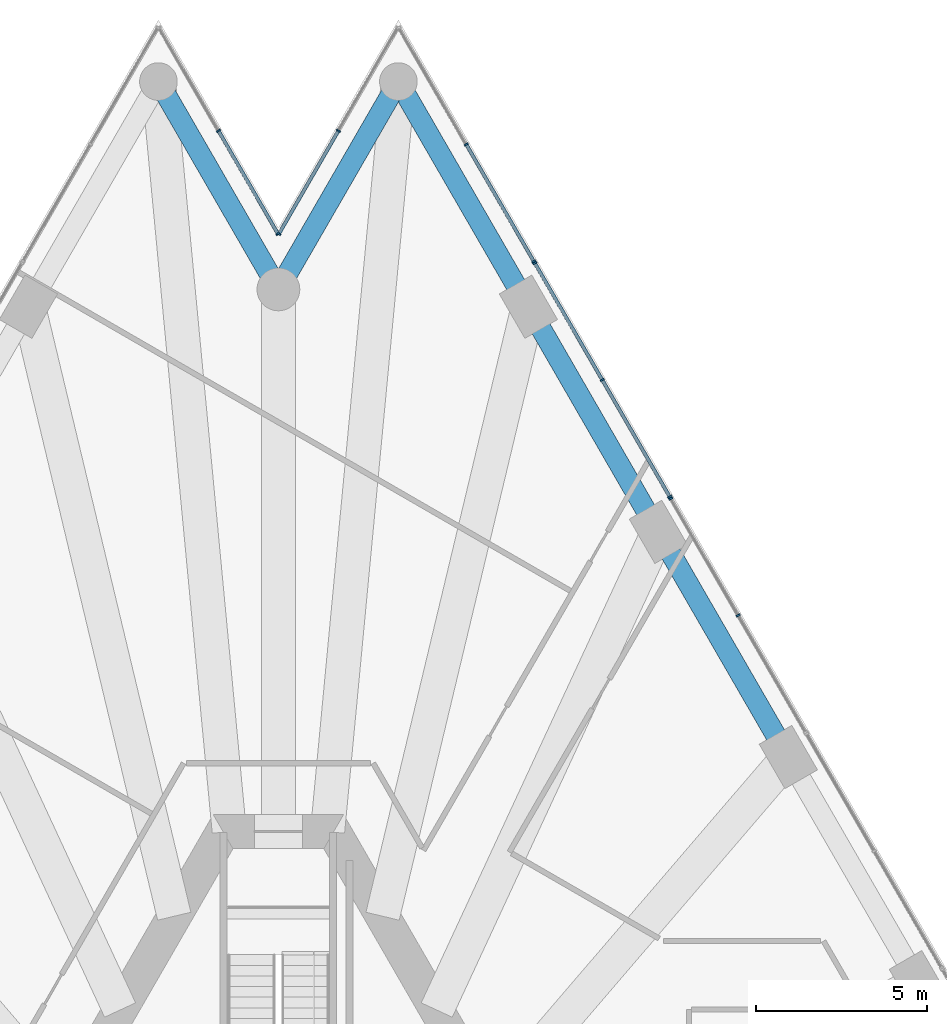
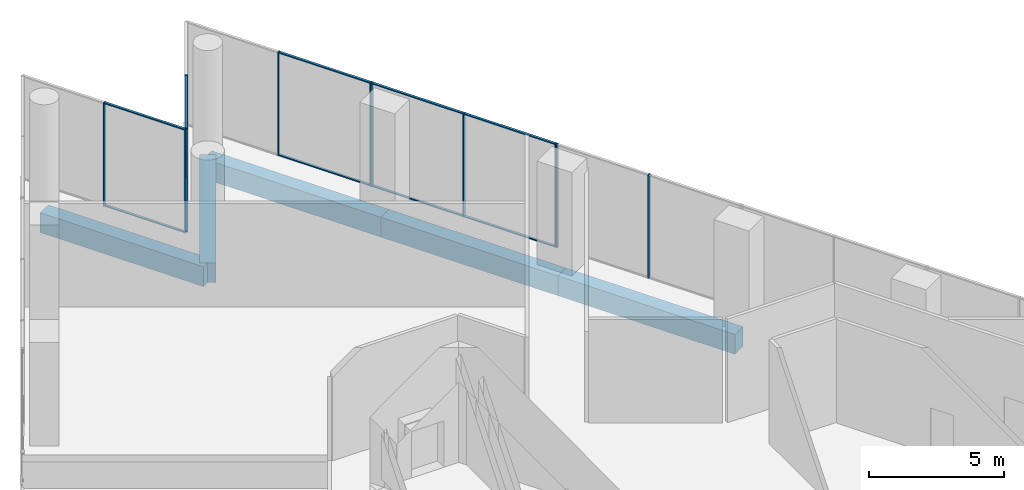
# One storey, part 17 of 28: 21 members, 5 beams, 5 elements without a shape of their own.
"""IFC4 building model written with IfcOpenShell, lengths in metres."""

from ifc_helpers import new_model, si_unit, direction, frame, origin, origin_2d, place, context, subcontext, project, spatial, rectangle, extrude, material, layer, layer_set, material_profile, profile_set, type_object, element, aggregate, save


model = new_model("IFC4")

# Units and contexts
model_context = context("Model", 3, precision=1e-05, world=origin(), true_north=direction((0.0, 1.0)))
body_context = subcontext(model_context, "Body", "Model", "MODEL_VIEW")
ifc_project = project(units=[si_unit("LENGTHUNIT", "METRE"), si_unit("AREAUNIT", "SQUARE_METRE"), si_unit("VOLUMEUNIT", "CUBIC_METRE"), si_unit("PLANEANGLEUNIT", "RADIAN"), si_unit("MASSUNIT", "GRAM", prefix="KILO")], contexts=[model_context])

# Site, building, storey
site_placement = place(None, origin())
site = spatial("IfcSite", under=ifc_project, at=site_placement, CompositionType="ELEMENT")
building_placement = place(site_placement, origin())
building = spatial("IfcBuilding", under=site, at=building_placement, Name="Triada Interchange Tower", CompositionType="ELEMENT")
storey_placement = place(building_placement, frame((0.0, 0.0, 30.300048828125)))
storey = spatial("IfcBuildingStorey", under=building, at=storey_placement, Name="L05", CompositionType="ELEMENT", Elevation=30.300048828125)

# Curtain wall, members
ifc_material_1 = material(Name="Aluminium framed glazing", Category="aluminium")
ifc_layer = layer(ifc_material_1, 0.199951171875)
ifc_layer_set = layer_set([ifc_layer], Name="Curtain wall Winter garden glazing")
curtain_wall_type = type_object("IfcCurtainWallType", Name="Curtain wall Winter garden glazing", PredefinedType="NOTDEFINED", material=ifc_layer_set)
curtain_wall_1_placement = place(storey_placement, origin())
curtain_wall_1 = element("IfcCurtainWall", 1, at=curtain_wall_1_placement, inside=storey, type_object=curtain_wall_type, Name="Winter garden glazing CW017 L05", PredefinedType="NOTDEFINED")
ifc_material_2 = material(Name="Aluminium", Category="aluminium")
ifc_material_profile_1 = material_profile(ifc_material_2, rectangle(XDim=0.1201171875, YDim=0.050048828125, at=origin_2d()), Name="Aluminium mullion")
ifc_profile_set_1 = profile_set([ifc_material_profile_1], Name="Aluminium")
member_type_1 = type_object("IfcMemberType", Name="Mullion Winter garden glazing 120x50", PredefinedType="MULLION", material=ifc_profile_set_1)
member_1_placement = place(storey_placement, frame((13.439453125, 21.52197265625, 0.0), z_axis=(0.0, 0.0, 1.0), x_axis=(-0.866055473648, -0.499947913852, 0.0)))
member_1 = element("IfcMember", 2, at=member_1_placement, type_object=member_type_1, Name="CW017 mullion 2", PredefinedType="MULLION", context=body_context, shape_type="SweptSolid", body=[
    extrude(rectangle(XDim=0.1201171875, YDim=0.050048828125, at=origin_2d()), origin(), (0.0, 0.0, 1.0), 4.699951171875),
])
member_2_placement = place(storey_placement, frame((11.468505859375, 24.936279296875, 0.0), z_axis=(0.0, 0.0, 1.0), x_axis=(-0.866055473648, -0.499947913852, 0.0)))
member_2 = element("IfcMember", 3, at=member_2_placement, type_object=member_type_1, Name="CW017 mullion 3", PredefinedType="MULLION", context=body_context, shape_type="SweptSolid", body=[
    extrude(rectangle(XDim=0.1201171875, YDim=0.050048828125, at=origin_2d()), origin(), (0.0, 0.0, 1.0), 4.699951171875),
])
aggregate(curtain_wall_1, [member_1, member_2])

curtain_wall_2_placement = place(storey_placement, origin())
curtain_wall_2 = element("IfcCurtainWall", 4, at=curtain_wall_2_placement, inside=storey, type_object=curtain_wall_type, Name="Winter garden glazing CW018 L05", PredefinedType="NOTDEFINED")
member_3_placement = place(storey_placement, frame((11.4375, 24.98876953125, 0.0), z_axis=(0.0, 0.0, 1.0), x_axis=(-0.866055473648, -0.499947913852, 0.0)))
member_3 = element("IfcMember", 5, at=member_3_placement, type_object=member_type_1, Name="CW018 mullion 1", PredefinedType="MULLION", context=body_context, shape_type="SweptSolid", body=[
    extrude(rectangle(XDim=0.1201171875, YDim=0.050048828125, at=origin_2d()), origin(), (0.0, 0.0, 1.0), 4.699951171875),
])
member_4_placement = place(storey_placement, frame((9.466552734375, 28.403076171875, 0.0), z_axis=(0.0, 0.0, 1.0), x_axis=(-0.866055473648, -0.499947913852, 0.0)))
member_4 = element("IfcMember", 6, at=member_4_placement, type_object=member_type_1, Name="CW018 mullion 2", PredefinedType="MULLION", context=body_context, shape_type="SweptSolid", body=[
    extrude(rectangle(XDim=0.1201171875, YDim=0.050048828125, at=origin_2d()), origin(), (0.0, 0.0, 1.0), 4.699951171875),
])
member_5_placement = place(storey_placement, frame((7.49560546875, 31.8173828125, 0.0), z_axis=(0.0, 0.0, 1.0), x_axis=(-0.866055473648, -0.499947913852, 0.0)))
member_5 = element("IfcMember", 7, at=member_5_placement, type_object=member_type_1, Name="CW018 mullion 3", PredefinedType="MULLION", context=body_context, shape_type="SweptSolid", body=[
    extrude(rectangle(XDim=0.1201171875, YDim=0.050048828125, at=origin_2d()), origin(), (0.0, 0.0, 1.0), 4.699951171875),
])

curtain_wall_3_placement = place(storey_placement, origin())
curtain_wall_3 = element("IfcCurtainWall", 8, at=curtain_wall_3_placement, inside=storey, type_object=curtain_wall_type, Name="Winter garden glazing CW019 L05", PredefinedType="NOTDEFINED")
member_6_placement = place(storey_placement, frame((7.464599609375, 31.86962890625, 0.0), z_axis=(0.0, 0.0, 1.0), x_axis=(-0.86604927658, -0.499958648825, 0.0)))
member_6 = element("IfcMember", 9, at=member_6_placement, type_object=member_type_1, Name="CW019 mullion 1", PredefinedType="MULLION", context=body_context, shape_type="SweptSolid", body=[
    extrude(rectangle(XDim=0.1201171875, YDim=0.050048828125, at=origin_2d()), origin(), (0.0, 0.0, 1.0), 4.699951171875),
])
member_7_placement = place(storey_placement, frame((5.491943359375, 35.28662109375, 0.0), z_axis=(0.0, 0.0, 1.0), x_axis=(-0.86604927658, -0.499958648825, 0.0)))
member_7 = element("IfcMember", 10, at=member_7_placement, type_object=member_type_1, Name="CW019 mullion 2", PredefinedType="MULLION", context=body_context, shape_type="SweptSolid", body=[
    extrude(rectangle(XDim=0.1201171875, YDim=0.050048828125, at=origin_2d()), origin(), (0.0, 0.0, 1.0), 4.699951171875),
])

curtain_wall_4_placement = place(storey_placement, origin())
curtain_wall_4 = element("IfcCurtainWall", 11, at=curtain_wall_4_placement, inside=storey, type_object=curtain_wall_type, Name="Winter garden glazing CW020 L05", PredefinedType="NOTDEFINED")
member_8_placement = place(storey_placement, frame((1.75341796875, 35.6875, 0.0), z_axis=(0.0, 0.0, 1.0), x_axis=(0.866050272896, -0.499956922962, 0.0)))
member_8 = element("IfcMember", 12, at=member_8_placement, type_object=member_type_1, Name="CW020 mullion 2", PredefinedType="MULLION", context=body_context, shape_type="SweptSolid", body=[
    extrude(rectangle(XDim=0.1201171875, YDim=0.050048828125, at=origin_2d()), origin(), (0.0, 0.0, 1.0), 4.699951171875),
])
member_9_placement = place(storey_placement, frame((0.012451171875, 32.671630859375, 0.0), z_axis=(0.0, 0.0, 1.0), x_axis=(0.866050272896, -0.499956922962, 0.0)))
member_9 = element("IfcMember", 13, at=member_9_placement, type_object=member_type_1, Name="CW020 mullion 3", PredefinedType="MULLION", context=body_context, shape_type="SweptSolid", body=[
    extrude(rectangle(XDim=0.1201171875, YDim=0.050048828125, at=origin_2d()), origin(), (0.0, 0.0, 1.0), 4.699951171875),
])

curtain_wall_5_placement = place(storey_placement, origin())
curtain_wall_5 = element("IfcCurtainWall", 14, at=curtain_wall_5_placement, inside=storey, type_object=curtain_wall_type, Name="Winter garden glazing CW021 L05", PredefinedType="NOTDEFINED")
member_10_placement = place(storey_placement, frame((-0.012451171875, 32.671630859375, 0.0), z_axis=(0.0, 0.0, 1.0), x_axis=(-0.866050272896, -0.499956922962, 0.0)))
member_10 = element("IfcMember", 15, at=member_10_placement, type_object=member_type_1, Name="CW021 mullion 1", PredefinedType="MULLION", context=body_context, shape_type="SweptSolid", body=[
    extrude(rectangle(XDim=0.1201171875, YDim=0.050048828125, at=origin_2d()), origin(), (0.0, 0.0, 1.0), 4.699951171875),
])
member_11_placement = place(storey_placement, frame((-1.75341796875, 35.6875, 0.0), z_axis=(0.0, 0.0, 1.0), x_axis=(-0.866050272896, -0.499956922962, 0.0)))
member_11 = element("IfcMember", 16, at=member_11_placement, type_object=member_type_1, Name="CW021 mullion 2", PredefinedType="MULLION", context=body_context, shape_type="SweptSolid", body=[
    extrude(rectangle(XDim=0.1201171875, YDim=0.050048828125, at=origin_2d()), origin(), (0.0, 0.0, 1.0), 4.699951171875),
])

# Beams
ifc_material_3 = material(Name="Concrete C50/60", Category="concrete")
ifc_material_profile_2 = material_profile(ifc_material_3, rectangle(XDim=0.60009765625, YDim=0.89990234375, at=origin_2d()), Name="RC 600x900")
ifc_profile_set_2 = profile_set([ifc_material_profile_2], Name="Concrete C50/60")
beam_type = type_object("IfcBeamType", Name="Spandrel beam P RC 600x900", PredefinedType="BEAM", material=ifc_profile_set_2)
beam_1_placement = place(storey_placement, frame((14.906005859375, 17.381103515625, -0.85009765625), z_axis=(-0.500060803479, 0.865990296034, 0.0), x_axis=(-0.865990296034, -0.500060803479, 0.0)))
element("IfcBeam", 17, at=beam_1_placement, inside=storey, type_object=beam_type, Name="Spandrel beam EP26 L05", PredefinedType="BEAM", context=body_context, shape_type="SweptSolid", body=[
    extrude(rectangle(XDim=0.60009765625, YDim=0.89990234375, at=origin_2d()), origin(), (0.0, 0.0, 1.0), 7.59912109375),
])
beam_2_placement = place(storey_placement, frame((11.10595703125, 23.9619140625, -0.85009765625), z_axis=(-0.499894869559, 0.866086092366, 0.0), x_axis=(-0.866086092366, -0.499894869559, 0.0)))
element("IfcBeam", 18, at=beam_2_placement, inside=storey, type_object=beam_type, Name="Spandrel beam EP27 L05", PredefinedType="BEAM", context=body_context, shape_type="SweptSolid", body=[
    extrude(rectangle(XDim=0.60009765625, YDim=0.89990234375, at=origin_2d()), origin(), (0.0, 0.0, 1.0), 7.599853515625),
])
beam_3_placement = place(storey_placement, frame((7.306884765625, 30.5439453125, -0.85009765625), z_axis=(-0.500022797313, 0.86601224135, 0.0), x_axis=(-0.86601224135, -0.500022797313, 0.0)))
element("IfcBeam", 19, at=beam_3_placement, inside=storey, type_object=beam_type, Name="Spandrel beam EP28 L05", PredefinedType="BEAM", context=body_context, shape_type="SweptSolid", body=[
    extrude(rectangle(XDim=0.60009765625, YDim=0.89990234375, at=origin_2d()), origin(), (0.0, 0.0, 1.0), 7.599365234375),
])
for number, where, z_axis, x_axis, name in (
    (20, (3.507080078125, 37.125, -0.85009765625), (-0.49996849935, -0.866043589929, 0.0), (0.866043589929, -0.49996849935, 0.0), "Spandrel beam EP29 L05"),
    (21, (0.0, 31.050048828125, -0.85009765625), (-0.49996849935, 0.866043589929, 0.0), (-0.866043589929, -0.49996849935, 0.0), "Spandrel beam EP30 L05"),
):
    element("IfcBeam", number, at=place(storey_placement, frame(where, z_axis=z_axis, x_axis=x_axis)), inside=storey, type_object=beam_type, Name=name, PredefinedType="BEAM", context=body_context, shape_type="SweptSolid", body=[
        extrude(rectangle(XDim=0.60009765625, YDim=0.89990234375, at=origin_2d()), origin(), (0.0, 0.0, 1.0), 7.0146484375),
    ])

# Member
ifc_material_profile_3 = material_profile(ifc_material_2, rectangle(XDim=0.10009765625, YDim=0.050048828125, at=origin_2d()), Name="Aluminium transom")
ifc_profile_set_3 = profile_set([ifc_material_profile_3], Name="Aluminium")
member_type_2 = type_object("IfcMemberType", Name="Transom Winter garden glazing 100x50", PredefinedType="USERDEFINED", material=ifc_profile_set_3)
member_12_placement = place(storey_placement, frame((11.425048828125, 25.01025390625, 0.02490234375), z_axis=(-0.499950487857, 0.866053987747, 0.0), x_axis=(-0.866053987747, -0.499950487857, 0.0)))
member_12 = element("IfcMember", 22, at=member_12_placement, type_object=member_type_2, Name="CW018 transom 1.1", ObjectType="TRANSOM", PredefinedType="USERDEFINED", context=body_context, shape_type="SweptSolid", body=[
    extrude(rectangle(XDim=0.10009765625, YDim=0.050048828125, at=origin_2d()), origin(), (0.0, 0.0, 1.0), 3.892578125),
])

member_13_placement = place(storey_placement, frame((11.425048828125, 25.01025390625, 4.675048828125), z_axis=(-0.499950487857, 0.866053987747, 0.0), x_axis=(-0.866053987747, -0.499950487857, 0.0)))
member_13 = element("IfcMember", 23, at=member_13_placement, type_object=member_type_2, Name="CW018 transom 1.2", ObjectType="TRANSOM", PredefinedType="USERDEFINED", context=body_context, shape_type="SweptSolid", body=[
    extrude(rectangle(XDim=0.10009765625, YDim=0.050048828125, at=origin_2d()), origin(), (0.0, 0.0, 1.0), 3.892578125),
])

member_14_placement = place(storey_placement, frame((9.4541015625, 28.424560546875, 0.02490234375), z_axis=(-0.499950487857, 0.866053987747, 0.0), x_axis=(-0.866053987747, -0.499950487857, 0.0)))
member_14 = element("IfcMember", 24, at=member_14_placement, type_object=member_type_2, Name="CW018 transom 2.1", ObjectType="TRANSOM", PredefinedType="USERDEFINED", context=body_context, shape_type="SweptSolid", body=[
    extrude(rectangle(XDim=0.10009765625, YDim=0.050048828125, at=origin_2d()), origin(), (0.0, 0.0, 1.0), 3.892578125),
])

member_15_placement = place(storey_placement, frame((9.4541015625, 28.424560546875, 4.675048828125), z_axis=(-0.499950487857, 0.866053987747, 0.0), x_axis=(-0.866053987747, -0.499950487857, 0.0)))
member_15 = element("IfcMember", 25, at=member_15_placement, type_object=member_type_2, Name="CW018 transom 2.2", ObjectType="TRANSOM", PredefinedType="USERDEFINED", context=body_context, shape_type="SweptSolid", body=[
    extrude(rectangle(XDim=0.10009765625, YDim=0.050048828125, at=origin_2d()), origin(), (0.0, 0.0, 1.0), 3.892578125),
])

aggregate(curtain_wall_2, [member_3, member_4, member_5, member_12, member_13, member_14, member_15])

member_16_placement = place(storey_placement, frame((7.451904296875, 31.891357421875, 0.02490234375), z_axis=(-0.499961171201, 0.866047820441, 0.0), x_axis=(-0.866047820441, -0.499961171201, 0.0)))
member_16 = element("IfcMember", 26, at=member_16_placement, type_object=member_type_2, Name="CW019 transom 1.1", ObjectType="TRANSOM", PredefinedType="USERDEFINED", context=body_context, shape_type="SweptSolid", body=[
    extrude(rectangle(XDim=0.10009765625, YDim=0.050048828125, at=origin_2d()), origin(), (0.0, 0.0, 1.0), 3.895263671875),
])

member_17_placement = place(storey_placement, frame((7.451904296875, 31.891357421875, 4.675048828125), z_axis=(-0.499961171201, 0.866047820441, 0.0), x_axis=(-0.866047820441, -0.499961171201, 0.0)))
member_17 = element("IfcMember", 27, at=member_17_placement, type_object=member_type_2, Name="CW019 transom 1.2", ObjectType="TRANSOM", PredefinedType="USERDEFINED", context=body_context, shape_type="SweptSolid", body=[
    extrude(rectangle(XDim=0.10009765625, YDim=0.050048828125, at=origin_2d()), origin(), (0.0, 0.0, 1.0), 3.895263671875),
])

aggregate(curtain_wall_3, [member_6, member_7, member_16, member_17])

member_18_placement = place(storey_placement, frame((1.740966796875, 35.665771484375, 0.02490234375), z_axis=(-0.499987221389, -0.866032781393, 0.0), x_axis=(0.866032781393, -0.499987221389, 0.0)))
member_18 = element("IfcMember", 28, at=member_18_placement, type_object=member_type_2, Name="CW020 transom 2.1", ObjectType="TRANSOM", PredefinedType="USERDEFINED", context=body_context, shape_type="SweptSolid", body=[
    extrude(rectangle(XDim=0.10009765625, YDim=0.050048828125, at=origin_2d()), origin(), (0.0, 0.0, 1.0), 3.43212890625),
])

member_19_placement = place(storey_placement, frame((1.740966796875, 35.665771484375, 4.675048828125), z_axis=(-0.499987221389, -0.866032781393, 0.0), x_axis=(0.866032781393, -0.499987221389, 0.0)))
member_19 = element("IfcMember", 29, at=member_19_placement, type_object=member_type_2, Name="CW020 transom 2.2", ObjectType="TRANSOM", PredefinedType="USERDEFINED", context=body_context, shape_type="SweptSolid", body=[
    extrude(rectangle(XDim=0.10009765625, YDim=0.050048828125, at=origin_2d()), origin(), (0.0, 0.0, 1.0), 3.43212890625),
])

aggregate(curtain_wall_4, [member_8, member_9, member_18, member_19])

member_20_placement = place(storey_placement, frame((-0.02490234375, 32.693359375, 0.02490234375), z_axis=(-0.499987221389, 0.866032781393, 0.0), x_axis=(-0.866032781393, -0.499987221389, 0.0)))
member_20 = element("IfcMember", 30, at=member_20_placement, type_object=member_type_2, Name="CW021 transom 1.1", ObjectType="TRANSOM", PredefinedType="USERDEFINED", context=body_context, shape_type="SweptSolid", body=[
    extrude(rectangle(XDim=0.10009765625, YDim=0.050048828125, at=origin_2d()), origin(), (0.0, 0.0, 1.0), 3.43212890625),
])

member_21_placement = place(storey_placement, frame((-0.02490234375, 32.693359375, 4.675048828125), z_axis=(-0.499987221389, 0.866032781393, 0.0), x_axis=(-0.866032781393, -0.499987221389, 0.0)))
member_21 = element("IfcMember", 31, at=member_21_placement, type_object=member_type_2, Name="CW021 transom 1.2", ObjectType="TRANSOM", PredefinedType="USERDEFINED", context=body_context, shape_type="SweptSolid", body=[
    extrude(rectangle(XDim=0.10009765625, YDim=0.050048828125, at=origin_2d()), origin(), (0.0, 0.0, 1.0), 3.43212890625),
])

aggregate(curtain_wall_5, [member_10, member_11, member_20, member_21])

save(model, "model.ifc")
